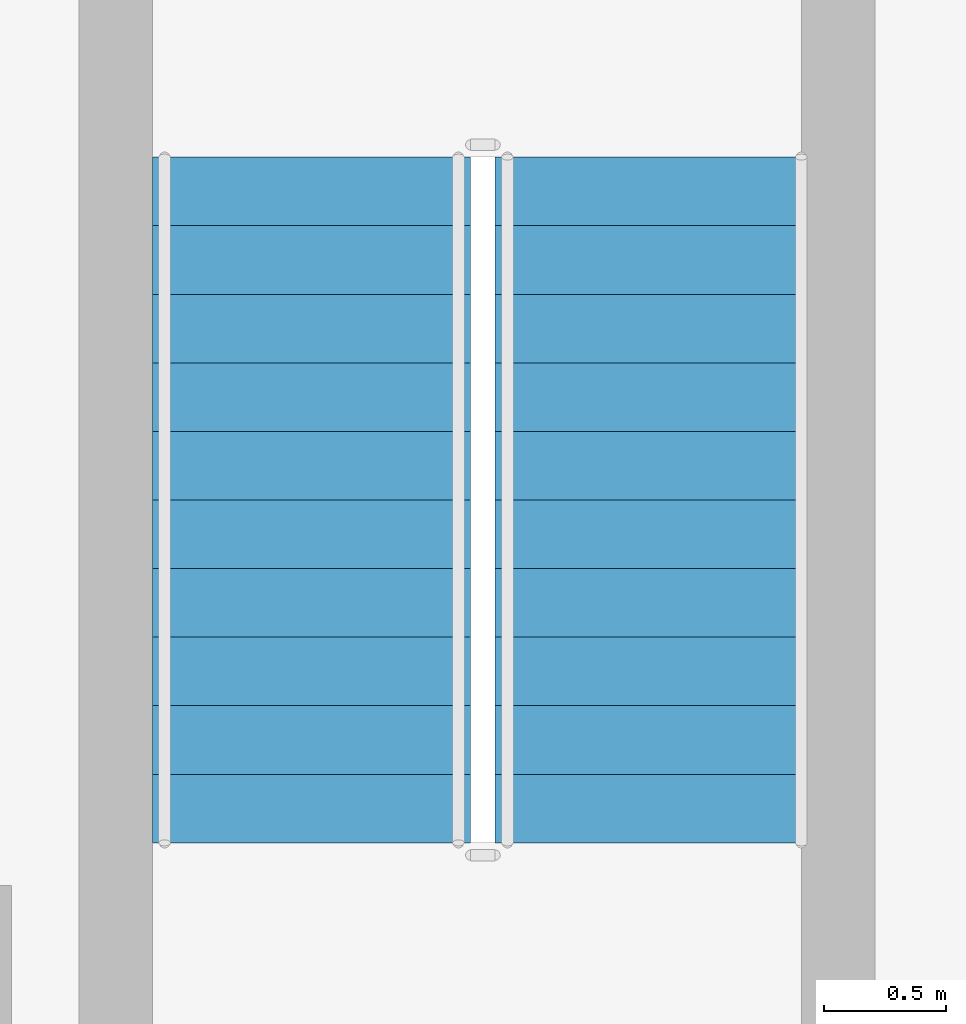
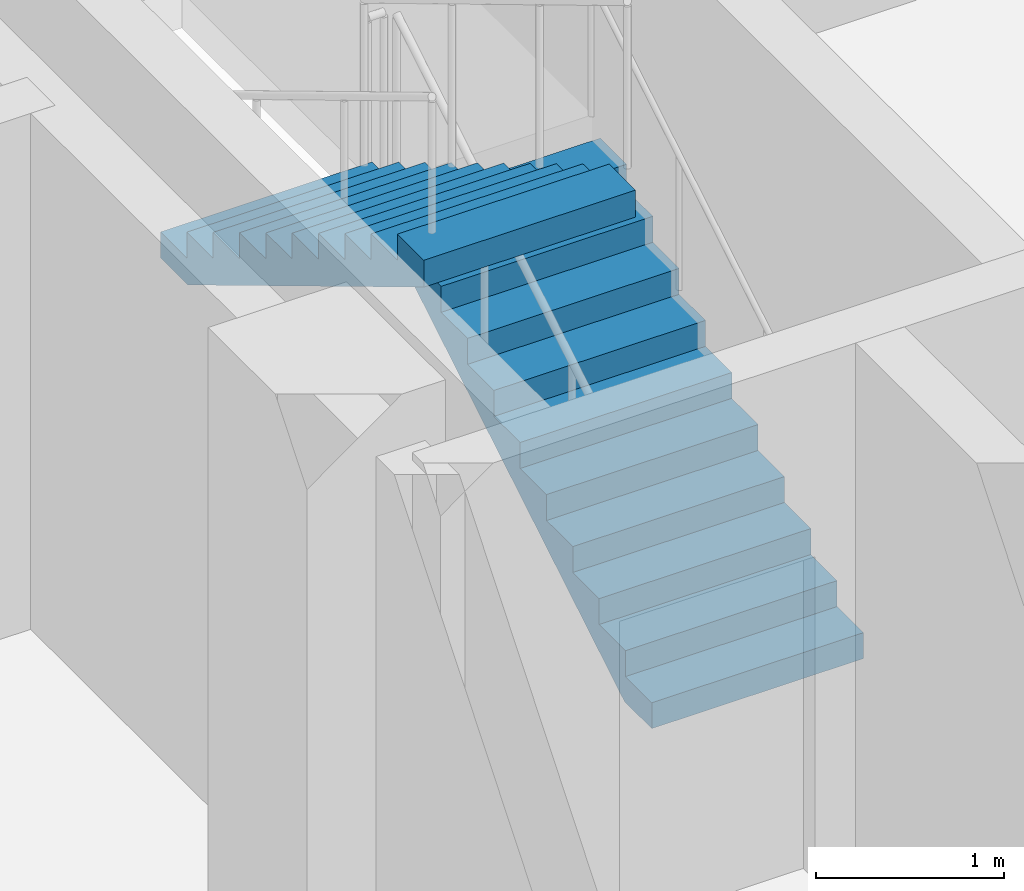
# One storey, part 17 of 23: 2 stair flights, 1 element without a shape of its own.
"""IFC4 building model written with IfcOpenShell, lengths in metres."""

from ifc_helpers import new_model, si_unit, direction, frame, origin, place, context, subcontext, project, spatial, triangles, source, transform, mapped, material, type_object, element, aggregate, save


model = new_model("IFC4")

# Units and contexts
model_context = context("Model", 3, precision=1e-05, world=origin(), true_north=direction((0.0, 1.0)))
body_context = subcontext(model_context, "Body", "Model", "MODEL_VIEW")
ifc_project = project(units=[si_unit("LENGTHUNIT", "METRE"), si_unit("AREAUNIT", "SQUARE_METRE"), si_unit("VOLUMEUNIT", "CUBIC_METRE"), si_unit("PLANEANGLEUNIT", "RADIAN"), si_unit("MASSUNIT", "GRAM", prefix="KILO")], contexts=[model_context])

# Site, building, storey
site_placement = place(None, origin())
site = spatial("IfcSite", under=ifc_project, at=site_placement, CompositionType="ELEMENT")
building_placement = place(site_placement, origin())
building = spatial("IfcBuilding", under=site, at=building_placement, Name="Ogive Portal Towers", CompositionType="ELEMENT")
storey_placement = place(building_placement, frame((0.0, 0.0, 120.39990234375)))
storey = spatial("IfcBuildingStorey", under=building, at=storey_placement, Name="L29", CompositionType="ELEMENT", Elevation=120.39990234375)

# Stair, stair flights
ifc_material = material(Name="Concrete C40/50", Category="concrete")
stair_type = type_object("IfcStairType", Name="INT-STAIR", PredefinedType="HALF_TURN_STAIR", material=ifc_material)
stair_placement = place(storey_placement, origin())
stair = element("IfcStair", 1, at=stair_placement, inside=storey, type_object=stair_type, Name="L29 Exit Stair ST-A3", PredefinedType="HALF_TURN_STAIR")
stair_flight_type = type_object("IfcStairFlightType", Name="INT-FLIGHT", PredefinedType="STRAIGHT", material=ifc_material)
shared_shape = source(origin(), body_context, "Body", "Tessellation", [
    triangles([(0.0, -0.650146484375, 0.0), (0.0, -0.376220703125, 0.0), (0.0, -0.192626953125, 0.0), (0.0, -0.081298828125, 0.0), (0.0, -0.024169921875, 0.0), (0.0, -0.003173828125, 0.0), (0.0, 0.0, 0.0), (0.0, 0.0029296875, 0.0), (0.0, 0.02392578125, 0.0), (0.0, 0.0810546875, 0.0), (0.0, 0.1923828125, 0.0), (0.0, 0.3759765625, 0.0), (0.0, 0.64990234375, 0.0), (0.0, -0.650146484375, 0.168212890625), (0.0, -0.376220703125, 0.168212890625), (0.0, -0.192626953125, 0.168212890625), (0.0, -0.081298828125, 0.168212890625), (0.0, -0.024169921875, 0.168212890625), (0.0, -0.003173828125, 0.168212890625), (0.0, 0.0, 0.168212890625), (0.0, 0.0029296875, 0.168212890625), (0.0, 0.02392578125, 0.168212890625), (0.0, 0.0810546875, 0.168212890625), (0.0, 0.1923828125, 0.168212890625), (0.0, 0.3759765625, 0.168212890625), (0.0, 0.64990234375, 0.168212890625), (0.280029296875, -0.650146484375, 0.168212890625), (0.280029296875, -0.376220703125, 0.168212890625), (0.280029296875, -0.192626953125, 0.168212890625), (0.280029296875, -0.081298828125, 0.168212890625), (0.280029296875, -0.024169921875, 0.168212890625), (0.280029296875, -0.003173828125, 0.168212890625), (0.280029296875, 0.0, 0.168212890625), (0.280029296875, 0.0029296875, 0.168212890625), (0.280029296875, 0.02392578125, 0.168212890625), (0.280029296875, 0.0810546875, 0.168212890625), (0.280029296875, 0.1923828125, 0.168212890625), (0.280029296875, 0.3759765625, 0.168212890625), (0.280029296875, 0.64990234375, 0.168212890625), (0.280029296875, -0.650146484375, 0.33642578125), (0.280029296875, -0.376220703125, 0.33642578125), (0.280029296875, -0.192626953125, 0.33642578125), (0.280029296875, -0.081298828125, 0.33642578125), (0.280029296875, -0.024169921875, 0.33642578125), (0.280029296875, -0.003173828125, 0.33642578125), (0.280029296875, 0.0, 0.33642578125), (0.280029296875, 0.0029296875, 0.33642578125), (0.280029296875, 0.02392578125, 0.33642578125), (0.280029296875, 0.0810546875, 0.33642578125), (0.280029296875, 0.1923828125, 0.33642578125), (0.280029296875, 0.3759765625, 0.33642578125), (0.280029296875, 0.64990234375, 0.33642578125), (0.56005859375, -0.650146484375, 0.33642578125), (0.56005859375, -0.376220703125, 0.33642578125), (0.56005859375, -0.192626953125, 0.33642578125), (0.56005859375, -0.081298828125, 0.33642578125), (0.56005859375, -0.024169921875, 0.33642578125), (0.56005859375, -0.003173828125, 0.33642578125), (0.56005859375, 0.0, 0.33642578125), (0.56005859375, 0.0029296875, 0.33642578125), (0.56005859375, 0.02392578125, 0.33642578125), (0.56005859375, 0.0810546875, 0.33642578125), (0.56005859375, 0.1923828125, 0.33642578125), (0.56005859375, 0.3759765625, 0.33642578125), (0.56005859375, 0.64990234375, 0.33642578125), (0.56005859375, -0.650146484375, 0.504638671875), (0.56005859375, -0.376220703125, 0.504638671875), (0.56005859375, -0.192626953125, 0.504638671875), (0.56005859375, -0.081298828125, 0.504638671875), (0.56005859375, -0.024169921875, 0.504638671875), (0.56005859375, -0.003173828125, 0.504638671875), (0.56005859375, 0.0, 0.504638671875), (0.56005859375, 0.0029296875, 0.504638671875), (0.56005859375, 0.02392578125, 0.504638671875), (0.56005859375, 0.0810546875, 0.504638671875), (0.56005859375, 0.1923828125, 0.504638671875), (0.56005859375, 0.3759765625, 0.504638671875), (0.56005859375, 0.64990234375, 0.504638671875), (0.840087890625, -0.650146484375, 0.504638671875), (0.840087890625, -0.376220703125, 0.504638671875), (0.840087890625, -0.192626953125, 0.504638671875), (0.840087890625, -0.081298828125, 0.504638671875), (0.840087890625, -0.024169921875, 0.504638671875), (0.840087890625, -0.003173828125, 0.504638671875), (0.840087890625, 0.0, 0.504638671875), (0.840087890625, 0.0029296875, 0.504638671875), (0.840087890625, 0.02392578125, 0.504638671875), (0.840087890625, 0.0810546875, 0.504638671875), (0.840087890625, 0.1923828125, 0.504638671875), (0.840087890625, 0.3759765625, 0.504638671875), (0.840087890625, 0.64990234375, 0.504638671875), (0.840087890625, -0.650146484375, 0.672607421875), (0.840087890625, -0.376220703125, 0.672607421875), (0.840087890625, -0.192626953125, 0.672607421875), (0.840087890625, -0.081298828125, 0.672607421875), (0.840087890625, -0.024169921875, 0.672607421875), (0.840087890625, -0.003173828125, 0.672607421875), (0.840087890625, 0.0, 0.672607421875), (0.840087890625, 0.0029296875, 0.672607421875), (0.840087890625, 0.02392578125, 0.672607421875), (0.840087890625, 0.0810546875, 0.672607421875), (0.840087890625, 0.1923828125, 0.672607421875), (0.840087890625, 0.3759765625, 0.672607421875), (0.840087890625, 0.64990234375, 0.672607421875), (1.1201171875, -0.650146484375, 0.672607421875), (1.1201171875, -0.376220703125, 0.672607421875), (1.1201171875, -0.192626953125, 0.672607421875), (1.1201171875, -0.081298828125, 0.672607421875), (1.1201171875, -0.024169921875, 0.672607421875), (1.1201171875, -0.003173828125, 0.672607421875), (1.1201171875, 0.0, 0.672607421875), (1.1201171875, 0.0029296875, 0.672607421875), (1.1201171875, 0.02392578125, 0.672607421875), (1.1201171875, 0.0810546875, 0.672607421875), (1.1201171875, 0.1923828125, 0.672607421875), (1.1201171875, 0.3759765625, 0.672607421875), (1.1201171875, 0.64990234375, 0.672607421875), (1.1201171875, -0.650146484375, 0.8408203125), (1.1201171875, -0.376220703125, 0.8408203125), (1.1201171875, -0.192626953125, 0.8408203125), (1.1201171875, -0.081298828125, 0.8408203125), (1.1201171875, -0.024169921875, 0.8408203125), (1.1201171875, -0.003173828125, 0.8408203125), (1.1201171875, 0.0, 0.8408203125), (1.1201171875, 0.0029296875, 0.8408203125), (1.1201171875, 0.02392578125, 0.8408203125), (1.1201171875, 0.0810546875, 0.8408203125), (1.1201171875, 0.1923828125, 0.8408203125), (1.1201171875, 0.3759765625, 0.8408203125), (1.1201171875, 0.64990234375, 0.8408203125), (1.39990234375, -0.650146484375, 0.8408203125), (1.39990234375, -0.376220703125, 0.8408203125), (1.39990234375, -0.192626953125, 0.8408203125), (1.39990234375, -0.081298828125, 0.8408203125), (1.39990234375, -0.024169921875, 0.8408203125), (1.39990234375, -0.003173828125, 0.8408203125), (1.39990234375, 0.0, 0.8408203125), (1.39990234375, 0.0029296875, 0.8408203125), (1.39990234375, 0.02392578125, 0.8408203125), (1.39990234375, 0.0810546875, 0.8408203125), (1.39990234375, 0.1923828125, 0.8408203125), (1.39990234375, 0.3759765625, 0.8408203125), (1.39990234375, 0.64990234375, 0.8408203125), (1.39990234375, -0.650146484375, 1.009033203125), (1.39990234375, -0.376220703125, 1.009033203125), (1.39990234375, -0.192626953125, 1.009033203125), (1.39990234375, -0.081298828125, 1.009033203125), (1.39990234375, -0.024169921875, 1.009033203125), (1.39990234375, -0.003173828125, 1.009033203125), (1.39990234375, 0.0, 1.009033203125), (1.39990234375, 0.0029296875, 1.009033203125), (1.39990234375, 0.02392578125, 1.009033203125), (1.39990234375, 0.0810546875, 1.009033203125), (1.39990234375, 0.1923828125, 1.009033203125), (1.39990234375, 0.3759765625, 1.009033203125), (1.39990234375, 0.64990234375, 1.009033203125), (1.679931640625, -0.650146484375, 1.009033203125), (1.679931640625, -0.376220703125, 1.009033203125), (1.679931640625, -0.192626953125, 1.009033203125), (1.679931640625, -0.081298828125, 1.009033203125), (1.679931640625, -0.024169921875, 1.009033203125), (1.679931640625, -0.003173828125, 1.009033203125), (1.679931640625, 0.0, 1.009033203125), (1.679931640625, 0.0029296875, 1.009033203125), (1.679931640625, 0.02392578125, 1.009033203125), (1.679931640625, 0.0810546875, 1.009033203125), (1.679931640625, 0.1923828125, 1.009033203125), (1.679931640625, 0.3759765625, 1.009033203125), (1.679931640625, 0.64990234375, 1.009033203125), (1.679931640625, -0.650146484375, 1.17724609375), (1.679931640625, -0.376220703125, 1.17724609375), (1.679931640625, -0.192626953125, 1.17724609375), (1.679931640625, -0.081298828125, 1.17724609375), (1.679931640625, -0.024169921875, 1.17724609375), (1.679931640625, -0.003173828125, 1.17724609375), (1.679931640625, 0.0, 1.17724609375), (1.679931640625, 0.0029296875, 1.17724609375), (1.679931640625, 0.02392578125, 1.17724609375), (1.679931640625, 0.0810546875, 1.17724609375), (1.679931640625, 0.1923828125, 1.17724609375), (1.679931640625, 0.3759765625, 1.17724609375), (1.679931640625, 0.64990234375, 1.17724609375), (1.9599609375, -0.650146484375, 1.17724609375), (1.9599609375, -0.376220703125, 1.17724609375), (1.9599609375, -0.192626953125, 1.17724609375), (1.9599609375, -0.081298828125, 1.17724609375), (1.9599609375, -0.024169921875, 1.17724609375), (1.9599609375, -0.003173828125, 1.17724609375), (1.9599609375, 0.0, 1.17724609375), (1.9599609375, 0.0029296875, 1.17724609375), (1.9599609375, 0.02392578125, 1.17724609375), (1.9599609375, 0.0810546875, 1.17724609375), (1.9599609375, 0.1923828125, 1.17724609375), (1.9599609375, 0.3759765625, 1.17724609375), (1.9599609375, 0.64990234375, 1.17724609375), (1.9599609375, -0.650146484375, 1.345458984375), (1.9599609375, -0.376220703125, 1.345458984375), (1.9599609375, -0.192626953125, 1.345458984375), (1.9599609375, -0.081298828125, 1.345458984375), (1.9599609375, -0.024169921875, 1.345458984375), (1.9599609375, -0.003173828125, 1.345458984375), (1.9599609375, 0.0, 1.345458984375), (1.9599609375, 0.0029296875, 1.345458984375), (1.9599609375, 0.02392578125, 1.345458984375), (1.9599609375, 0.0810546875, 1.345458984375), (1.9599609375, 0.1923828125, 1.345458984375), (1.9599609375, 0.3759765625, 1.345458984375), (1.9599609375, 0.64990234375, 1.345458984375), (2.239990234375, -0.650146484375, 1.345458984375), (2.239990234375, -0.376220703125, 1.345458984375), (2.239990234375, -0.192626953125, 1.345458984375), (2.239990234375, -0.081298828125, 1.345458984375), (2.239990234375, -0.024169921875, 1.345458984375), (2.239990234375, -0.003173828125, 1.345458984375), (2.239990234375, 0.0, 1.345458984375), (2.239990234375, 0.0029296875, 1.345458984375), (2.239990234375, 0.02392578125, 1.345458984375), (2.239990234375, 0.0810546875, 1.345458984375), (2.239990234375, 0.1923828125, 1.345458984375), (2.239990234375, 0.3759765625, 1.345458984375), (2.239990234375, 0.64990234375, 1.345458984375), (2.239990234375, -0.650146484375, 1.513671875), (2.239990234375, -0.376220703125, 1.513671875), (2.239990234375, -0.192626953125, 1.513671875), (2.239990234375, -0.081298828125, 1.513671875), (2.239990234375, -0.024169921875, 1.513671875), (2.239990234375, -0.003173828125, 1.513671875), (2.239990234375, 0.0, 1.513671875), (2.239990234375, 0.0029296875, 1.513671875), (2.239990234375, 0.02392578125, 1.513671875), (2.239990234375, 0.0810546875, 1.513671875), (2.239990234375, 0.1923828125, 1.513671875), (2.239990234375, 0.3759765625, 1.513671875), (2.239990234375, 0.64990234375, 1.513671875), (2.52001953125, -0.650146484375, 1.513671875), (2.52001953125, -0.376220703125, 1.513671875), (2.52001953125, -0.192626953125, 1.513671875), (2.52001953125, -0.081298828125, 1.513671875), (2.52001953125, -0.024169921875, 1.513671875), (2.52001953125, -0.003173828125, 1.513671875), (2.52001953125, 0.0, 1.513671875), (2.52001953125, 0.0029296875, 1.513671875), (2.52001953125, 0.02392578125, 1.513671875), (2.52001953125, 0.0810546875, 1.513671875), (2.52001953125, 0.1923828125, 1.513671875), (2.52001953125, 0.3759765625, 1.513671875), (2.52001953125, 0.64990234375, 1.513671875), (2.52001953125, -0.650146484375, 1.681884765625), (2.52001953125, -0.376220703125, 1.681884765625), (2.52001953125, -0.192626953125, 1.681884765625), (2.52001953125, -0.081298828125, 1.681884765625), (2.52001953125, -0.024169921875, 1.681884765625), (2.52001953125, -0.003173828125, 1.681884765625), (2.52001953125, 0.0, 1.681884765625), (2.52001953125, 0.0029296875, 1.681884765625), (2.52001953125, 0.02392578125, 1.681884765625), (2.52001953125, 0.0810546875, 1.681884765625), (2.52001953125, 0.1923828125, 1.681884765625), (2.52001953125, 0.3759765625, 1.681884765625), (2.52001953125, 0.64990234375, 1.681884765625), (2.800048828125, -0.650146484375, 1.681884765625), (2.800048828125, -0.376220703125, 1.681884765625), (2.800048828125, -0.192626953125, 1.681884765625), (2.800048828125, -0.081298828125, 1.681884765625), (2.800048828125, -0.024169921875, 1.681884765625), (2.800048828125, -0.003173828125, 1.681884765625), (2.800048828125, 0.0, 1.681884765625), (2.800048828125, 0.0029296875, 1.681884765625), (2.800048828125, 0.02392578125, 1.681884765625), (2.800048828125, 0.0810546875, 1.681884765625), (2.800048828125, 0.1923828125, 1.681884765625), (2.800048828125, 0.3759765625, 1.681884765625), (2.800048828125, 0.64990234375, 1.681884765625), (2.800048828125, -0.650146484375, 1.5068359375), (2.800048828125, -0.376220703125, 1.5068359375), (2.800048828125, -0.192626953125, 1.5068359375), (2.800048828125, -0.081298828125, 1.5068359375), (2.800048828125, -0.024169921875, 1.5068359375), (2.800048828125, -0.003173828125, 1.5068359375), (2.800048828125, 0.0, 1.5068359375), (2.800048828125, 0.0029296875, 1.5068359375), (2.800048828125, 0.02392578125, 1.5068359375), (2.800048828125, 0.0810546875, 1.5068359375), (2.800048828125, 0.1923828125, 1.5068359375), (2.800048828125, 0.3759765625, 1.5068359375), (2.800048828125, 0.64990234375, 1.5068359375), (0.291015625, -0.650146484375, 0.0), (0.291015625, -0.376220703125, 0.0), (0.291015625, -0.192626953125, 0.0), (0.291015625, -0.081298828125, 0.0), (0.291015625, -0.024169921875, 0.0), (0.291015625, -0.003173828125, 0.0), (0.291015625, 0.0, 0.0), (0.291015625, 0.0029296875, 0.0), (0.291015625, 0.02392578125, 0.0), (0.291015625, 0.0810546875, 0.0), (0.291015625, 0.1923828125, 0.0), (0.291015625, 0.3759765625, 0.0), (0.291015625, 0.64990234375, 0.0)], [[1, 14, 15], [1, 15, 2], [2, 15, 16], [2, 16, 3], [3, 16, 17], [3, 17, 4], [4, 17, 18], [4, 18, 5], [5, 18, 19], [5, 19, 6], [6, 19, 20], [6, 20, 7], [7, 20, 21], [7, 21, 8], [8, 21, 22], [8, 22, 9], [9, 22, 23], [9, 23, 10], [10, 23, 24], [10, 24, 11], [11, 24, 25], [11, 25, 12], [12, 25, 26], [12, 26, 13], [14, 27, 28], [14, 28, 15], [15, 28, 29], [15, 29, 16], [16, 29, 30], [16, 30, 17], [17, 30, 31], [17, 31, 18], [18, 31, 32], [18, 32, 19], [19, 32, 33], [19, 33, 20], [20, 33, 34], [20, 34, 21], [21, 34, 35], [21, 35, 22], [22, 35, 36], [22, 36, 23], [23, 36, 37], [23, 37, 24], [24, 37, 38], [24, 38, 25], [25, 38, 39], [25, 39, 26], [27, 40, 41], [27, 41, 28], [28, 41, 42], [28, 42, 29], [29, 42, 43], [29, 43, 30], [30, 43, 44], [30, 44, 31], [31, 44, 45], [31, 45, 32], [32, 45, 46], [32, 46, 33], [33, 46, 47], [33, 47, 34], [34, 47, 48], [34, 48, 35], [35, 48, 49], [35, 49, 36], [36, 49, 50], [36, 50, 37], [37, 50, 51], [37, 51, 38], [38, 51, 52], [38, 52, 39], [40, 53, 54], [40, 54, 41], [41, 54, 55], [41, 55, 42], [42, 55, 56], [42, 56, 43], [43, 56, 57], [43, 57, 44], [44, 57, 58], [44, 58, 45], [45, 58, 59], [45, 59, 46], [46, 59, 60], [46, 60, 47], [47, 60, 61], [47, 61, 48], [48, 61, 62], [48, 62, 49], [49, 62, 63], [49, 63, 50], [50, 63, 64], [50, 64, 51], [51, 64, 65], [51, 65, 52], [53, 66, 67], [53, 67, 54], [54, 67, 68], [54, 68, 55], [55, 68, 69], [55, 69, 56], [56, 69, 70], [56, 70, 57], [57, 70, 71], [57, 71, 58], [58, 71, 72], [58, 72, 59], [59, 72, 73], [59, 73, 60], [60, 73, 74], [60, 74, 61], [61, 74, 75], [61, 75, 62], [62, 75, 76], [62, 76, 63], [63, 76, 77], [63, 77, 64], [64, 77, 78], [64, 78, 65], [66, 79, 80], [66, 80, 67], [67, 80, 81], [67, 81, 68], [68, 81, 82], [68, 82, 69], [69, 82, 83], [69, 83, 70], [70, 83, 84], [70, 84, 71], [71, 84, 85], [71, 85, 72], [72, 85, 86], [72, 86, 73], [73, 86, 87], [73, 87, 74], [74, 87, 88], [74, 88, 75], [75, 88, 89], [75, 89, 76], [76, 89, 90], [76, 90, 77], [77, 90, 91], [77, 91, 78], [79, 92, 93], [79, 93, 80], [80, 93, 94], [80, 94, 81], [81, 94, 95], [81, 95, 82], [82, 95, 96], [82, 96, 83], [83, 96, 97], [83, 97, 84], [84, 97, 98], [84, 98, 85], [85, 98, 99], [85, 99, 86], [86, 99, 100], [86, 100, 87], [87, 100, 101], [87, 101, 88], [88, 101, 102], [88, 102, 89], [89, 102, 103], [89, 103, 90], [90, 103, 104], [90, 104, 91], [92, 105, 106], [92, 106, 93], [93, 106, 107], [93, 107, 94], [94, 107, 108], [94, 108, 95], [95, 108, 109], [95, 109, 96], [96, 109, 110], [96, 110, 97], [97, 110, 111], [97, 111, 98], [98, 111, 112], [98, 112, 99], [99, 112, 113], [99, 113, 100], [100, 113, 114], [100, 114, 101], [101, 114, 115], [101, 115, 102], [102, 115, 116], [102, 116, 103], [103, 116, 117], [103, 117, 104], [105, 118, 119], [105, 119, 106], [106, 119, 120], [106, 120, 107], [107, 120, 121], [107, 121, 108], [108, 121, 122], [108, 122, 109], [109, 122, 123], [109, 123, 110], [110, 123, 124], [110, 124, 111], [111, 124, 125], [111, 125, 112], [112, 125, 126], [112, 126, 113], [113, 126, 127], [113, 127, 114], [114, 127, 128], [114, 128, 115], [115, 128, 129], [115, 129, 116], [116, 129, 130], [116, 130, 117], [118, 131, 132], [118, 132, 119], [119, 132, 133], [119, 133, 120], [120, 133, 134], [120, 134, 121], [121, 134, 135], [121, 135, 122], [122, 135, 136], [122, 136, 123], [123, 136, 137], [123, 137, 124], [124, 137, 138], [124, 138, 125], [125, 138, 139], [125, 139, 126], [126, 139, 140], [126, 140, 127], [127, 140, 141], [127, 141, 128], [128, 141, 142], [128, 142, 129], [129, 142, 143], [129, 143, 130], [131, 144, 145], [131, 145, 132], [132, 145, 146], [132, 146, 133], [133, 146, 147], [133, 147, 134], [134, 147, 148], [134, 148, 135], [135, 148, 149], [135, 149, 136], [136, 149, 150], [136, 150, 137], [137, 150, 151], [137, 151, 138], [138, 151, 152], [138, 152, 139], [139, 152, 153], [139, 153, 140], [140, 153, 154], [140, 154, 141], [141, 154, 155], [141, 155, 142], [142, 155, 156], [142, 156, 143], [144, 157, 158], [144, 158, 145], [145, 158, 159], [145, 159, 146], [146, 159, 160], [146, 160, 147], [147, 160, 161], [147, 161, 148], [148, 161, 162], [148, 162, 149], [149, 162, 163], [149, 163, 150], [150, 163, 164], [150, 164, 151], [151, 164, 165], [151, 165, 152], [152, 165, 166], [152, 166, 153], [153, 166, 167], [153, 167, 154], [154, 167, 168], [154, 168, 155], [155, 168, 169], [155, 169, 156], [157, 170, 171], [157, 171, 158], [158, 171, 172], [158, 172, 159], [159, 172, 173], [159, 173, 160], [160, 173, 174], [160, 174, 161], [161, 174, 175], [161, 175, 162], [162, 175, 176], [162, 176, 163], [163, 176, 177], [163, 177, 164], [164, 177, 178], [164, 178, 165], [165, 178, 179], [165, 179, 166], [166, 179, 180], [166, 180, 167], [167, 180, 181], [167, 181, 168], [168, 181, 182], [168, 182, 169], [170, 183, 184], [170, 184, 171], [171, 184, 185], [171, 185, 172], [172, 185, 186], [172, 186, 173], [173, 186, 187], [173, 187, 174], [174, 187, 188], [174, 188, 175], [175, 188, 189], [175, 189, 176], [176, 189, 190], [176, 190, 177], [177, 190, 191], [177, 191, 178], [178, 191, 192], [178, 192, 179], [179, 192, 193], [179, 193, 180], [180, 193, 194], [180, 194, 181], [181, 194, 195], [181, 195, 182], [183, 196, 197], [183, 197, 184], [184, 197, 198], [184, 198, 185], [185, 198, 199], [185, 199, 186], [186, 199, 200], [186, 200, 187], [187, 200, 201], [187, 201, 188], [188, 201, 202], [188, 202, 189], [189, 202, 203], [189, 203, 190], [190, 203, 204], [190, 204, 191], [191, 204, 205], [191, 205, 192], [192, 205, 206], [192, 206, 193], [193, 206, 207], [193, 207, 194], [194, 207, 208], [194, 208, 195], [196, 209, 210], [196, 210, 197], [197, 210, 211], [197, 211, 198], [198, 211, 212], [198, 212, 199], [199, 212, 213], [199, 213, 200], [200, 213, 214], [200, 214, 201], [201, 214, 215], [201, 215, 202], [202, 215, 216], [202, 216, 203], [203, 216, 217], [203, 217, 204], [204, 217, 218], [204, 218, 205], [205, 218, 219], [205, 219, 206], [206, 219, 220], [206, 220, 207], [207, 220, 221], [207, 221, 208], [209, 222, 223], [209, 223, 210], [210, 223, 224], [210, 224, 211], [211, 224, 225], [211, 225, 212], [212, 225, 226], [212, 226, 213], [213, 226, 227], [213, 227, 214], [214, 227, 228], [214, 228, 215], [215, 228, 229], [215, 229, 216], [216, 229, 230], [216, 230, 217], [217, 230, 231], [217, 231, 218], [218, 231, 232], [218, 232, 219], [219, 232, 233], [219, 233, 220], [220, 233, 234], [220, 234, 221], [222, 235, 236], [222, 236, 223], [223, 236, 237], [223, 237, 224], [224, 237, 238], [224, 238, 225], [225, 238, 239], [225, 239, 226], [226, 239, 240], [226, 240, 227], [227, 240, 241], [227, 241, 228], [228, 241, 242], [228, 242, 229], [229, 242, 243], [229, 243, 230], [230, 243, 244], [230, 244, 231], [231, 244, 245], [231, 245, 232], [232, 245, 246], [232, 246, 233], [233, 246, 247], [233, 247, 234], [235, 248, 249], [235, 249, 236], [236, 249, 250], [236, 250, 237], [237, 250, 251], [237, 251, 238], [238, 251, 252], [238, 252, 239], [239, 252, 253], [239, 253, 240], [240, 253, 254], [240, 254, 241], [241, 254, 255], [241, 255, 242], [242, 255, 256], [242, 256, 243], [243, 256, 257], [243, 257, 244], [244, 257, 258], [244, 258, 245], [245, 258, 259], [245, 259, 246], [246, 259, 260], [246, 260, 247], [248, 261, 262], [248, 262, 249], [249, 262, 263], [249, 263, 250], [250, 263, 264], [250, 264, 251], [251, 264, 265], [251, 265, 252], [252, 265, 266], [252, 266, 253], [253, 266, 267], [253, 267, 254], [254, 267, 268], [254, 268, 255], [255, 268, 269], [255, 269, 256], [256, 269, 270], [256, 270, 257], [257, 270, 271], [257, 271, 258], [258, 271, 272], [258, 272, 259], [259, 272, 273], [259, 273, 260], [261, 274, 275], [261, 275, 262], [262, 275, 276], [262, 276, 263], [263, 276, 277], [263, 277, 264], [264, 277, 278], [264, 278, 265], [265, 278, 279], [265, 279, 266], [266, 279, 280], [266, 280, 267], [267, 280, 281], [267, 281, 268], [268, 281, 282], [268, 282, 269], [269, 282, 283], [269, 283, 270], [270, 283, 284], [270, 284, 271], [271, 284, 285], [271, 285, 272], [272, 285, 286], [272, 286, 273], [274, 287, 288], [274, 288, 275], [275, 288, 289], [275, 289, 276], [276, 289, 290], [276, 290, 277], [277, 290, 291], [277, 291, 278], [278, 291, 292], [278, 292, 279], [279, 292, 293], [279, 293, 280], [280, 293, 294], [280, 294, 281], [281, 294, 295], [281, 295, 282], [282, 295, 296], [282, 296, 283], [283, 296, 297], [283, 297, 284], [284, 297, 298], [284, 298, 285], [285, 298, 299], [285, 299, 286], [287, 1, 2], [287, 2, 288], [288, 2, 3], [288, 3, 289], [289, 3, 4], [289, 4, 290], [290, 4, 5], [290, 5, 291], [291, 5, 6], [291, 6, 292], [292, 6, 7], [292, 7, 293], [293, 7, 8], [293, 8, 294], [294, 8, 9], [294, 9, 295], [295, 9, 10], [295, 10, 296], [296, 10, 11], [296, 11, 297], [297, 11, 12], [297, 12, 298], [298, 12, 13], [298, 13, 299], [1, 287, 274], [13, 286, 299], [274, 261, 248], [286, 260, 273], [274, 248, 235], [286, 247, 260], [274, 235, 222], [286, 234, 247], [274, 222, 209], [286, 221, 234], [209, 196, 183], [221, 195, 208], [274, 209, 183], [286, 195, 221], [183, 170, 157], [195, 169, 182], [274, 183, 157], [286, 169, 195], [157, 144, 131], [169, 143, 156], [274, 157, 131], [286, 143, 169], [131, 118, 105], [143, 117, 130], [274, 131, 105], [286, 117, 143], [1, 274, 105], [13, 117, 286], [105, 92, 79], [117, 91, 104], [79, 66, 53], [91, 65, 78], [105, 79, 53], [117, 65, 91], [53, 40, 27], [65, 39, 52], [105, 53, 27], [117, 39, 65], [1, 105, 27], [13, 39, 117], [27, 14, 1], [39, 13, 26]], closed=True),
])
stair_flight_1_placement = place(storey_placement, frame((43.550048828125, 67.199951171875, 0.0), z_axis=(0.0, 0.0, 1.0), x_axis=(0.0, 1.0, 0.0)))
stair_flight_1 = element("IfcStairFlight", 2, at=stair_flight_1_placement, type_object=stair_flight_type, Name="ST-A3 flight 1", NumberOfRisers=11, NumberOfTreads=10, PredefinedType="STRAIGHT", RiserHeight=0.168181818, TreadLength=0.28, context=body_context, shape_type="MappedRepresentation", body=[
    mapped(shared_shape, transform((0.0, 0.0, 0.0), scale=1.0)),
])
stair_flight_2_placement = place(storey_placement, frame((42.14990234375, 70.0, 1.85009765625), z_axis=(0.0, 0.0, 1.0), x_axis=(0.0, -1.0, 0.0)))
stair_flight_2 = element("IfcStairFlight", 3, at=stair_flight_2_placement, type_object=stair_flight_type, Name="ST-A3 flight 2", NumberOfRisers=11, NumberOfTreads=10, PredefinedType="STRAIGHT", RiserHeight=0.168181818, TreadLength=0.28, context=body_context, shape_type="MappedRepresentation", body=[
    mapped(shared_shape, transform((0.0, 0.0, 0.0), scale=1.0)),
])
aggregate(stair, [stair_flight_1, stair_flight_2])

save(model, "model.ifc")
